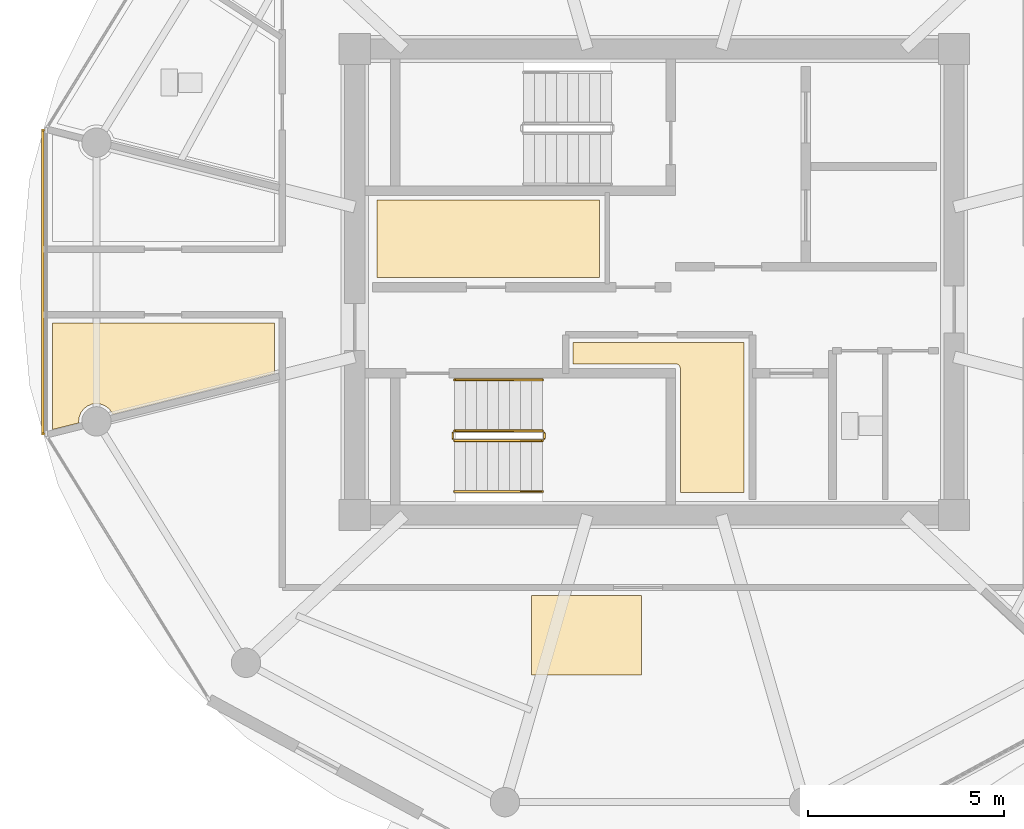
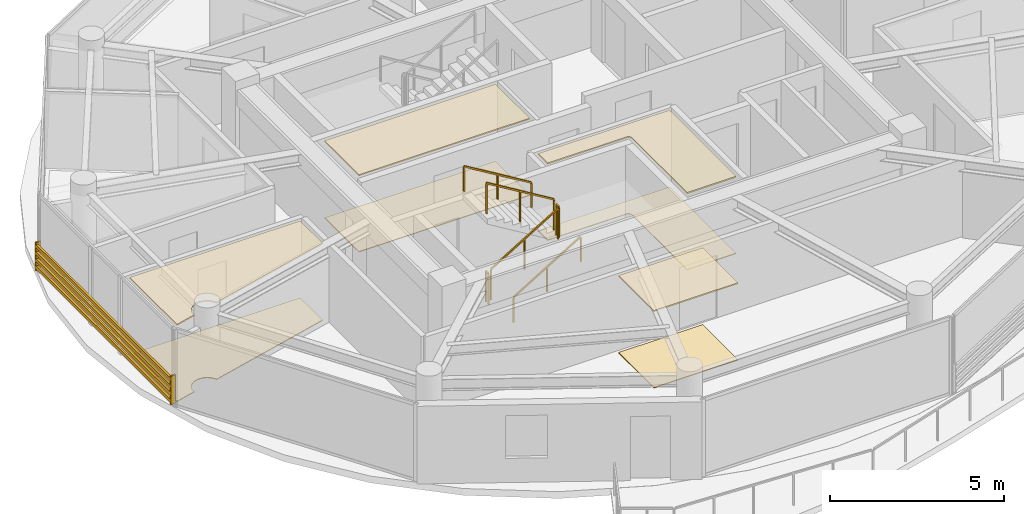
# One storey, part 15 of 21: 8 coverings, 6 railings, 1 shading device.
"""IFC4 building model written with IfcOpenShell, lengths in metres."""

from ifc_helpers import new_model, si_unit, direction, frame, origin, origin_2d, place, context, subcontext, project, spatial, polyline, rectangle, outline, extrude, source, transform, mapped, material, layer, layer_set, type_object, type_shapes, element, save


model = new_model("IFC4")

# Units and contexts
model_context = context("Model", 3, precision=1e-05, world=origin(), true_north=direction((0.0, 1.0)))
body_context = subcontext(model_context, "Body", "Model", "MODEL_VIEW")
ifc_project = project(units=[si_unit("LENGTHUNIT", "METRE"), si_unit("AREAUNIT", "SQUARE_METRE"), si_unit("VOLUMEUNIT", "CUBIC_METRE"), si_unit("PLANEANGLEUNIT", "RADIAN"), si_unit("MASSUNIT", "GRAM", prefix="KILO")], contexts=[model_context])

# Site, building, storey
site_placement = place(None, origin())
site = spatial("IfcSite", under=ifc_project, at=site_placement, CompositionType="ELEMENT")
building_placement = place(site_placement, origin())
building = spatial("IfcBuilding", under=site, at=building_placement, Name="Norrkilde Senior Care Towers", CompositionType="ELEMENT")
storey_placement = place(building_placement, frame((0.0, 0.0, 241.35009765625)))
storey = spatial("IfcBuildingStorey", under=building, at=storey_placement, Name="L75", CompositionType="ELEMENT", Elevation=241.35009765625)

# Coverings
ifc_material_1 = material(Name="Nordic Ash Timber", Category="wood")
ifc_layer_1 = layer(ifc_material_1, 0.044921875)
ifc_layer_set_1 = layer_set([ifc_layer_1], Name="Nordic Ash Timber")
covering_type_1 = type_object("IfcCoveringType", Name="Acoustic Ash Timber Slatted Ceiling 45", PredefinedType="CEILING", material=ifc_layer_set_1)
covering_1_placement = place(storey_placement, frame((0.0, 0.0, 2.684814453125)))
element("IfcCovering", 1, at=covering_1_placement, inside=storey, type_object=covering_type_1, Name="L75 Suspended Ceiling 0464", PredefinedType="CEILING", context=body_context, shape_type="SweptSolid", body=[
    extrude(outline(polyline([(-29.39990234375, 0.1201171875), (-35.080078125, 0.1201171875), (-35.080078125, 2.090087890625), (-29.39990234375, 2.090087890625), (-29.39990234375, 0.1201171875)])), origin(), (0.0, 0.0, 1.0), 0.045166015625),
])
covering_2_placement = place(storey_placement, frame((0.0, 0.0, 2.684814453125)))
element("IfcCovering", 2, at=covering_2_placement, inside=storey, type_object=covering_type_1, Name="L75 Suspended Ceiling 0465", PredefinedType="CEILING", context=body_context, shape_type="SweptSolid", body=[
    extrude(outline(polyline([(-27.34521484375, -2.175048828125), (-27.34912109375, -2.1640625), (-27.354248046875, -2.1533203125), (-27.360107421875, -2.143310546875), (-27.3671875, -2.1337890625), (-27.375244140625, -2.125244140625), (-27.3837890625, -2.1171875), (-27.393310546875, -2.110107421875), (-27.4033203125, -2.104248046875), (-27.4140625, -2.09912109375), (-27.425048828125, -2.09521484375), (-27.4365234375, -2.09228515625), (-27.4482421875, -2.090576171875), (-27.4599609375, -2.090087890625), (-30.080078125, -2.090087890625), (-30.080078125, -1.5400390625), (-25.7099609375, -1.5400390625), (-25.7099609375, -5.3798828125), (-27.340087890625, -5.3798828125), (-27.340087890625, -2.2099609375), (-27.340576171875, -2.1982421875), (-27.34228515625, -2.1865234375), (-27.34521484375, -2.175048828125)])), origin(), (0.0, 0.0, 1.0), 0.045166015625),
])
covering_3_placement = place(storey_placement, frame((0.0, 0.0, 2.684814453125)))
element("IfcCovering", 3, at=covering_3_placement, inside=storey, type_object=covering_type_1, Name="L75 Suspended Ceiling 0466", PredefinedType="CEILING", context=body_context, shape_type="SweptSolid", body=[
    extrude(outline(polyline([(-37.699951171875, -1.0400390625), (-37.699951171875, -2.331298828125), (-41.834228515625, -3.377685546875), (-41.853271484375, -3.331298828125), (-41.92578125, -3.237060546875), (-42.02001953125, -3.164794921875), (-42.129638671875, -3.119384765625), (-42.247314453125, -3.103759765625), (-42.365234375, -3.119384765625), (-42.474853515625, -3.164794921875), (-42.569091796875, -3.237060546875), (-42.641357421875, -3.331298828125), (-42.68701171875, -3.44091796875), (-42.702392578125, -3.558837890625), (-42.697509765625, -3.59619140625), (-43.37353515625, -3.76708984375), (-43.37353515625, -1.0400390625), (-37.699951171875, -1.0400390625)])), origin(), (0.0, 0.0, 1.0), 0.045166015625),
])
covering_4_placement = place(storey_placement, frame((0.0, 0.0, 2.684814453125)))
element("IfcCovering", 4, at=covering_4_placement, inside=storey, type_object=covering_type_1, Name="L75 Suspended Ceiling 0477", PredefinedType="CEILING", context=body_context, shape_type="SweptSolid", body=[
    extrude(outline(polyline([(-28.333740234375, -10.033935546875), (-31.1337890625, -10.033935546875), (-31.1337890625, -8.0), (-28.333740234375, -8.0), (-28.333740234375, -10.033935546875)])), origin(), (0.0, 0.0, 1.0), 0.045166015625),
])
ifc_material_2 = material(Name="Slip-Resistant Porcelain Stone", Category="masonry")
ifc_layer_2 = layer(ifc_material_2, 0.02490234375)
ifc_layer_set_2 = layer_set([ifc_layer_2], Name="Slip-Resistant Porcelain Stone")
covering_type_2 = type_object("IfcCoveringType", Name="Slip-Resistant Porcelain Flooring 25", PredefinedType="FLOORING", material=ifc_layer_set_2)
covering_5_placement = place(storey_placement, origin())
element("IfcCovering", 5, at=covering_5_placement, inside=storey, type_object=covering_type_2, Name="L75 Floor Finish 0464", PredefinedType="FLOORING", context=body_context, shape_type="SweptSolid", body=[
    extrude(outline(polyline([(-29.39990234375, 0.1201171875), (-35.080078125, 0.1201171875), (-35.080078125, 2.090087890625), (-29.39990234375, 2.090087890625), (-29.39990234375, 0.1201171875)])), origin(), (0.0, 0.0, 1.0), 0.02490234375),
])
covering_6_placement = place(storey_placement, origin())
element("IfcCovering", 6, at=covering_6_placement, inside=storey, type_object=covering_type_2, Name="L75 Floor Finish 0465", PredefinedType="FLOORING", context=body_context, shape_type="SweptSolid", body=[
    extrude(outline(polyline([(-27.34521484375, -2.175048828125), (-27.34912109375, -2.1640625), (-27.354248046875, -2.1533203125), (-27.360107421875, -2.143310546875), (-27.3671875, -2.1337890625), (-27.375244140625, -2.125244140625), (-27.3837890625, -2.1171875), (-27.393310546875, -2.110107421875), (-27.4033203125, -2.104248046875), (-27.4140625, -2.09912109375), (-27.425048828125, -2.09521484375), (-27.4365234375, -2.09228515625), (-27.4482421875, -2.090576171875), (-27.4599609375, -2.090087890625), (-30.080078125, -2.090087890625), (-30.080078125, -1.5400390625), (-25.7099609375, -1.5400390625), (-25.7099609375, -5.3798828125), (-27.340087890625, -5.3798828125), (-27.340087890625, -2.2099609375), (-27.340576171875, -2.1982421875), (-27.34228515625, -2.1865234375), (-27.34521484375, -2.175048828125)])), origin(), (0.0, 0.0, 1.0), 0.02490234375),
])
covering_7_placement = place(storey_placement, origin())
element("IfcCovering", 7, at=covering_7_placement, inside=storey, type_object=covering_type_2, Name="L75 Floor Finish 0466", PredefinedType="FLOORING", context=body_context, shape_type="SweptSolid", body=[
    extrude(outline(polyline([(-37.699951171875, -1.0400390625), (-37.699951171875, -2.331298828125), (-41.834228515625, -3.377685546875), (-41.853271484375, -3.331298828125), (-41.92578125, -3.237060546875), (-42.02001953125, -3.164794921875), (-42.129638671875, -3.119384765625), (-42.247314453125, -3.103759765625), (-42.365234375, -3.119384765625), (-42.474853515625, -3.164794921875), (-42.569091796875, -3.237060546875), (-42.641357421875, -3.331298828125), (-42.68701171875, -3.44091796875), (-42.702392578125, -3.558837890625), (-42.697509765625, -3.59619140625), (-43.37353515625, -3.76708984375), (-43.37353515625, -1.0400390625), (-37.699951171875, -1.0400390625)])), origin(), (0.0, 0.0, 1.0), 0.02490234375),
])
covering_8_placement = place(storey_placement, origin())
element("IfcCovering", 8, at=covering_8_placement, inside=storey, type_object=covering_type_2, Name="L75 Floor Finish 0477", PredefinedType="FLOORING", context=body_context, shape_type="SweptSolid", body=[
    extrude(outline(polyline([(-28.333740234375, -10.033935546875), (-31.1337890625, -10.033935546875), (-31.1337890625, -8.0), (-28.333740234375, -8.0), (-28.333740234375, -10.033935546875)])), origin(), (0.0, 0.0, 1.0), 0.02490234375),
])

# Railings
ifc_material_3 = material(Name="Stainless Steel", Category="steel")
railing_type_1 = type_object("IfcRailingType", Name="Stair and Terrace Guardrail 1100", PredefinedType="GUARDRAIL", material=ifc_material_3)
railing_1_placement = place(storey_placement, frame((-33.10009765625, -4.050048828125, 0.16943359375)))
element("IfcRailing", 9, at=railing_1_placement, inside=storey, type_object=railing_type_1, Name="L75 ST-W2 stair guard 1", PredefinedType="GUARDRAIL", context=body_context, shape_type="SweptSolid", body=[
    extrude(rectangle(XDim=0.048095703125, YDim=0.048095703125, at=origin_2d()), frame((0.0, 0.0, 1.076171875), z_axis=(0.855553338991, 0.0, 0.51771467445), x_axis=(0.0, 1.0, 0.0)), (0.0, 0.0, 1.0), 2.6181640625),
    extrude(rectangle(XDim=0.0419921875, YDim=0.0419921875, at=origin_2d()), origin(), (0.0, 0.0, 1.0), 1.050048828125),
    extrude(rectangle(XDim=0.0419921875, YDim=0.0419921875, at=origin_2d()), frame((1.1201171875, 0.0, 0.677734375)), (0.0, 0.0, 1.0), 1.050048828125),
    extrude(rectangle(XDim=0.0419921875, YDim=0.0419921875, at=origin_2d()), frame((2.239990234375, 0.0, 1.35546875)), (0.0, 0.0, 1.0), 1.050048828125),
])
railing_2_placement = place(storey_placement, frame((-30.81005859375, -4.0, 1.52490234375)))
element("IfcRailing", 10, at=railing_2_placement, inside=storey, type_object=railing_type_1, Name="L75 ST-W2 stair guard 2", PredefinedType="GUARDRAIL", context=body_context, shape_type="SweptSolid", body=[
    extrude(rectangle(XDim=0.048095703125, YDim=0.048095703125, at=origin_2d()), frame((0.0, 0.0, 1.076171875), z_axis=(0.0, 1.0, 0.0), x_axis=(-1.0, 0.0, 0.0)), (0.0, 0.0, 1.0), 0.14990234375),
    extrude(rectangle(XDim=0.0419921875, YDim=0.0419921875, at=origin_2d()), origin(), (0.0, 0.0, 1.0), 1.050048828125),
    extrude(rectangle(XDim=0.0419921875, YDim=0.0419921875, at=origin_2d()), frame((0.0, 0.14990234375, 0.0)), (0.0, 0.0, 1.0), 1.050048828125),
])
railing_3_placement = place(storey_placement, frame((-30.860107421875, -3.800048828125, 1.6943359375)))
element("IfcRailing", 11, at=railing_3_placement, inside=storey, type_object=railing_type_1, Name="L75 ST-W2 stair guard 3", PredefinedType="GUARDRAIL", context=body_context, shape_type="SweptSolid", body=[
    extrude(rectangle(XDim=0.048095703125, YDim=0.048095703125, at=origin_2d()), frame((0.0, 0.0, 1.076171875), z_axis=(-0.855553338991, 0.0, 0.51771467445), x_axis=(0.0, -1.0, 0.0)), (0.0, 0.0, 1.0), 2.6181640625),
    extrude(rectangle(XDim=0.0419921875, YDim=0.0419921875, at=origin_2d()), origin(), (0.0, 0.0, 1.0), 1.050048828125),
    extrude(rectangle(XDim=0.0419921875, YDim=0.0419921875, at=origin_2d()), frame((-1.1201171875, 0.0, 0.677734375)), (0.0, 0.0, 1.0), 1.050048828125),
    extrude(rectangle(XDim=0.0419921875, YDim=0.0419921875, at=origin_2d()), frame((-2.239990234375, 0.0, 1.35546875)), (0.0, 0.0, 1.0), 1.050048828125),
])
railing_4_placement = place(storey_placement, frame((-33.14990234375, -4.0, 0.0)))
element("IfcRailing", 12, at=railing_4_placement, inside=storey, type_object=railing_type_1, Name="L75 ST-W2 stair guard 4", PredefinedType="GUARDRAIL", context=body_context, shape_type="SweptSolid", body=[
    extrude(rectangle(XDim=0.048095703125, YDim=0.048095703125, at=origin_2d()), frame((0.0, 0.0, 1.076171875), z_axis=(0.0, 1.0, 0.0), x_axis=(-1.0, 0.0, 0.0)), (0.0, 0.0, 1.0), 0.14990234375),
    extrude(rectangle(XDim=0.0419921875, YDim=0.0419921875, at=origin_2d()), origin(), (0.0, 0.0, 1.0), 1.050048828125),
    extrude(rectangle(XDim=0.0419921875, YDim=0.0419921875, at=origin_2d()), frame((0.0, 0.14990234375, 0.0)), (0.0, 0.0, 1.0), 1.050048828125),
])
railing_type_2 = type_object("IfcRailingType", Name="Wall and Stair Handrail 900", PredefinedType="HANDRAIL", material=ifc_material_1)
railing_5_placement = place(storey_placement, frame((-33.10009765625, -5.35009765625, 0.16943359375)))
element("IfcRailing", 13, at=railing_5_placement, inside=storey, type_object=railing_type_2, Name="L75 ST-W2 stair handrail 1", PredefinedType="HANDRAIL", context=body_context, shape_type="SweptSolid", body=[
    extrude(rectangle(XDim=0.048095703125, YDim=0.048095703125, at=origin_2d()), frame((0.0, 0.0, 0.8759765625), z_axis=(0.855553338991, 0.0, 0.51771467445), x_axis=(0.0, 1.0, 0.0)), (0.0, 0.0, 1.0), 2.6181640625),
    extrude(rectangle(XDim=0.0419921875, YDim=0.0419921875, at=origin_2d()), origin(), (0.0, 0.0, 1.0), 0.849853515625),
    extrude(rectangle(XDim=0.0419921875, YDim=0.0419921875, at=origin_2d()), frame((1.1201171875, 0.0, 0.677734375)), (0.0, 0.0, 1.0), 0.849853515625),
    extrude(rectangle(XDim=0.0419921875, YDim=0.0419921875, at=origin_2d()), frame((2.239990234375, 0.0, 1.35546875)), (0.0, 0.0, 1.0), 0.849853515625),
])
railing_6_placement = place(storey_placement, frame((-30.860107421875, -2.5, 1.6943359375)))
element("IfcRailing", 14, at=railing_6_placement, inside=storey, type_object=railing_type_2, Name="L75 ST-W2 stair handrail 2", PredefinedType="HANDRAIL", context=body_context, shape_type="SweptSolid", body=[
    extrude(rectangle(XDim=0.048095703125, YDim=0.048095703125, at=origin_2d()), frame((0.0, 0.0, 0.8759765625), z_axis=(-0.855553338991, 0.0, 0.51771467445), x_axis=(0.0, -1.0, 0.0)), (0.0, 0.0, 1.0), 2.6181640625),
    extrude(rectangle(XDim=0.0419921875, YDim=0.0419921875, at=origin_2d()), origin(), (0.0, 0.0, 1.0), 0.849853515625),
    extrude(rectangle(XDim=0.0419921875, YDim=0.0419921875, at=origin_2d()), frame((-1.1201171875, 0.0, 0.677734375)), (0.0, 0.0, 1.0), 0.849853515625),
    extrude(rectangle(XDim=0.0419921875, YDim=0.0419921875, at=origin_2d()), frame((-2.239990234375, 0.0, 1.35546875)), (0.0, 0.0, 1.0), 0.849853515625),
])

# Shading device
ifc_material_4 = material(Name="Architectural Terracotta", Category="masonry")
shading_device_type = type_object("IfcShadingDeviceType", Name="Horizontal Terracotta Baguette Rack", PredefinedType="USERDEFINED", material=ifc_material_4)
shared_shape = source(origin(), body_context, "Body", "SweptSolid", [
    extrude(rectangle(XDim=0.070068359375, YDim=0.110107421875, at=origin_2d()), frame((0.0, 0.090087890625, 0.125), z_axis=(1.0, 0.0, 0.0), x_axis=(0.0, 1.0, 0.0)), (0.0, 0.0, 1.0), 7.80615234375),
    extrude(rectangle(XDim=0.070068359375, YDim=0.110107421875, at=origin_2d()), frame((0.0, 0.090087890625, 0.375), z_axis=(1.0, 0.0, 0.0), x_axis=(0.0, 1.0, 0.0)), (0.0, 0.0, 1.0), 7.80615234375),
    extrude(rectangle(XDim=0.070068359375, YDim=0.110107421875, at=origin_2d()), frame((0.0, 0.090087890625, 0.625), z_axis=(1.0, 0.0, 0.0), x_axis=(0.0, 1.0, 0.0)), (0.0, 0.0, 1.0), 7.80615234375),
    extrude(rectangle(XDim=0.070068359375, YDim=0.110107421875, at=origin_2d()), frame((0.0, 0.090087890625, 0.875), z_axis=(1.0, 0.0, 0.0), x_axis=(0.0, 1.0, 0.0)), (0.0, 0.0, 1.0), 7.80615234375),
    extrude(rectangle(XDim=0.050048828125, YDim=0.1552734375, at=origin_2d()), frame((0.02490234375, 0.047607421875, 0.0)), (0.0, 0.0, 1.0), 1.0),
    extrude(rectangle(XDim=0.050048828125, YDim=0.1552734375, at=origin_2d()), frame((7.78125, 0.047607421875, 0.0)), (0.0, 0.0, 1.0), 1.0),
])
type_shapes(shading_device_type, [shared_shape])
shading_device_placement = place(storey_placement, frame((-43.531982421875, -3.903076171875, 0.079833984375), z_axis=(0.0, 0.0, 1.0), x_axis=(0.0, 1.0, 0.0)))
element("IfcShadingDevice", 15, at=shading_device_placement, inside=storey, type_object=shading_device_type, Name="L75 Drum W Terracotta Baguette Screen 05", ObjectType="BAGUETTE", PredefinedType="USERDEFINED", context=body_context, shape_type="MappedRepresentation", body=[
    mapped(shared_shape, transform((0.0, 0.0, 0.0), x_axis=(1.0, 0.0, 0.0), y_axis=(0.0, 1.0, 0.0), z_axis=(0.0, 0.0, 1.0), scale=1.0)),
])

save(model, "model.ifc")
